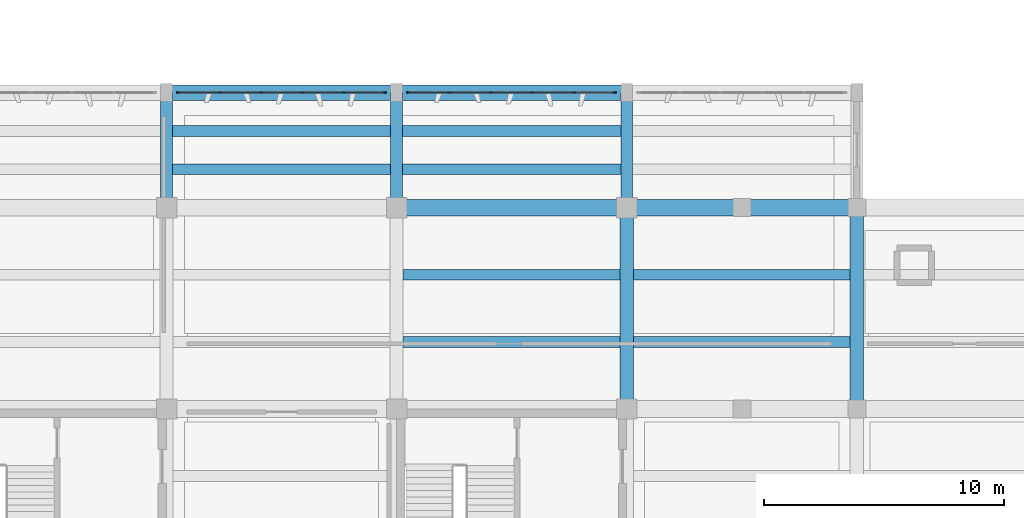
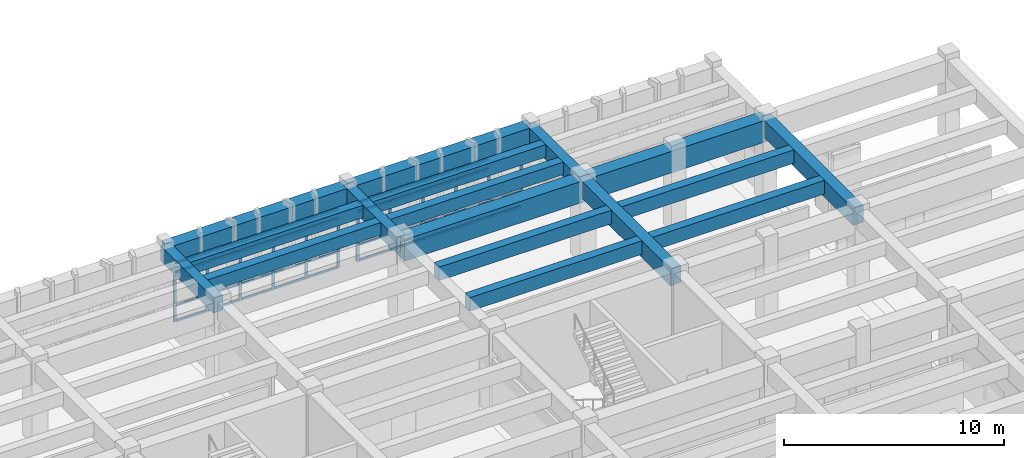
# One storey, part 16 of 86: 50 members, 17 beams, 2 elements without a shape of their own.
"""IFC4 building model written with IfcOpenShell, lengths in metres."""

from ifc_helpers import new_model, si_unit, direction, frame, origin, origin_2d, place, context, subcontext, project, spatial, rectangle, extrude, material, layer, layer_set, material_profile, profile_set, type_object, element, aggregate, save


model = new_model("IFC4")

# Units and contexts
model_context = context("Model", 3, precision=1e-05, world=origin(), true_north=direction((0.0, 1.0)))
body_context = subcontext(model_context, "Body", "Model", "MODEL_VIEW")
ifc_project = project(units=[si_unit("LENGTHUNIT", "METRE"), si_unit("AREAUNIT", "SQUARE_METRE"), si_unit("VOLUMEUNIT", "CUBIC_METRE"), si_unit("PLANEANGLEUNIT", "RADIAN"), si_unit("MASSUNIT", "GRAM", prefix="KILO")], contexts=[model_context])

# Site, building, storey
site_placement = place(None, origin())
site = spatial("IfcSite", under=ifc_project, at=site_placement, CompositionType="ELEMENT")
building_placement = place(site_placement, origin())
building = spatial("IfcBuilding", under=site, at=building_placement, Name="Kolvemor Railside Polytechnic", CompositionType="ELEMENT")
storey_placement = place(building_placement, frame((0.0, 0.0, 5.39990234375)))
storey = spatial("IfcBuildingStorey", under=building, at=storey_placement, Name="L01", CompositionType="ELEMENT", Elevation=5.39990234375)

# Beams
ifc_material_1 = material(Name="Concrete C40/50", Category="concrete")
ifc_material_profile_1 = material_profile(ifc_material_1, rectangle(XDim=0.550048828125, YDim=0.949951171875, at=origin_2d()), Name="RC550x950")
ifc_profile_set_1 = profile_set([ifc_material_profile_1], Name="Concrete C40/50")
beam_type_1 = type_object("IfcBeamType", Name="BM-RC-GIRD", PredefinedType="BEAM", material=ifc_profile_set_1)
for number, where, z_axis, x_axis, name in (
    (1, (115.199951171875, 30.0, 4.005126953125), (0.0, 1.0, 0.0), (-1.0, 0.0, 0.0), "Primary Girder L02-GY 0820"),
    (2, (124.800048828125, 30.0, 4.005126953125), (0.0, 1.0, 0.0), (-1.0, 0.0, 0.0), "Primary Girder L02-GY 0824"),
):
    element("IfcBeam", number, at=place(storey_placement, frame(where, z_axis=z_axis, x_axis=x_axis)), inside=storey, type_object=beam_type_1, Name=name, PredefinedType="BEAM", context=body_context, shape_type="SweptSolid", body=[
        extrude(rectangle(XDim=0.550048828125, YDim=0.949951171875, at=origin_2d()), origin(), (0.0, 0.0, 1.0), 8.39990234375),
    ])
ifc_material_2 = material(Name="Concrete C40/50", Category="concrete")
ifc_material_profile_2 = material_profile(ifc_material_2, rectangle(XDim=0.64990234375, YDim=1.050048828125, at=origin_2d()), Name="RC650x1050")
ifc_profile_set_2 = profile_set([ifc_material_profile_2], Name="Concrete C40/50")
beam_type_2 = type_object("IfcBeamType", Name="BM-RC-GIRD2", PredefinedType="BEAM", material=ifc_profile_set_2)
beam_1_placement = place(storey_placement, frame((96.0, 43.199951171875, 3.955078125), z_axis=(1.0, 0.0, 0.0), x_axis=(0.0, 1.0, 0.0)))
element("IfcBeam", 3, at=beam_1_placement, inside=storey, type_object=beam_type_2, Name="Primary Girder L02-GX 1885", PredefinedType="BEAM", context=body_context, shape_type="SweptSolid", body=[
    extrude(rectangle(XDim=0.64990234375, YDim=1.050048828125, at=origin_2d()), origin(), (0.0, 0.0, 1.0), 9.60009765625),
])
beam_2_placement = place(storey_placement, frame((105.60009765625, 43.199951171875, 3.955078125), z_axis=(1.0, 0.0, 0.0), x_axis=(0.0, 1.0, 0.0)))
element("IfcBeam", 4, at=beam_2_placement, inside=storey, type_object=beam_type_2, Name="Primary Girder L02-GX 1886", PredefinedType="BEAM", context=body_context, shape_type="SweptSolid", body=[
    extrude(rectangle(XDim=0.64990234375, YDim=1.050048828125, at=origin_2d()), origin(), (0.0, 0.0, 1.0), 9.599853515625),
])
ifc_material_3 = material(Name="Concrete C40/50", Category="concrete")
ifc_material_profile_3 = material_profile(ifc_material_3, rectangle(XDim=0.5, YDim=0.85009765625, at=origin_2d()), Name="RC500x850")
ifc_profile_set_3 = profile_set([ifc_material_profile_3], Name="Concrete C40/50")
beam_type_3 = type_object("IfcBeamType", Name="BM-RC-GIRD3", PredefinedType="BEAM", material=ifc_profile_set_3)
for number, where, z_axis, x_axis, name in (
    (5, (96.0, 38.39990234375, 4.05517578125), (0.0, 1.0, 0.0), (-1.0, 0.0, 0.0), "Primary Girder L02-GY 1892"),
    (6, (105.60009765625, 38.39990234375, 4.05517578125), (0.0, 1.0, 0.0), (-1.0, 0.0, 0.0), "Primary Girder L02-GY 1893"),
    (7, (115.199951171875, 38.39990234375, 4.05517578125), (0.0, 1.0, 0.0), (-1.0, 0.0, 0.0), "Primary Girder L02-GY 1894"),
):
    element("IfcBeam", number, at=place(storey_placement, frame(where, z_axis=z_axis, x_axis=x_axis)), inside=storey, type_object=beam_type_3, Name=name, PredefinedType="BEAM", context=body_context, shape_type="SweptSolid", body=[
        extrude(rectangle(XDim=0.5, YDim=0.85009765625, at=origin_2d()), origin(), (0.0, 0.0, 1.0), 4.800048828125),
    ])
ifc_material_4 = material(Name="Concrete C40/50", Category="concrete")
ifc_material_profile_4 = material_profile(ifc_material_4, rectangle(XDim=0.449951171875, YDim=0.75, at=origin_2d()), Name="RC450x750")
ifc_profile_set_4 = profile_set([ifc_material_profile_4], Name="Concrete C40/50")
beam_type_4 = type_object("IfcBeamType", Name="BM-RC-SEC", PredefinedType="JOIST", material=ifc_profile_set_4)
for number, where, z_axis, x_axis, name in (
    (8, (105.875, 32.800048828125, 4.10498046875), (1.0, 0.0, 0.0), (0.0, 1.0, 0.0), "Floor Joist L02-J0877"),
    (9, (105.875, 35.60009765625, 4.10498046875), (1.0, 0.0, 0.0), (0.0, 1.0, 0.0), "Floor Joist L02-J0878"),
):
    element("IfcBeam", number, at=place(storey_placement, frame(where, z_axis=z_axis, x_axis=x_axis)), inside=storey, type_object=beam_type_4, Name=name, PredefinedType="JOIST", context=body_context, shape_type="SweptSolid", body=[
        extrude(rectangle(XDim=0.449951171875, YDim=0.75, at=origin_2d()), origin(), (0.0, 0.0, 1.0), 9.050048828125),
    ])
for number, where, z_axis, x_axis, name in (
    (10, (115.47509765625, 32.800048828125, 4.10498046875), (1.0, 0.0, 0.0), (0.0, 1.0, 0.0), "Floor Joist L02-J0885"),
    (11, (115.47509765625, 35.60009765625, 4.10498046875), (1.0, 0.0, 0.0), (0.0, 1.0, 0.0), "Floor Joist L02-J0886"),
):
    element("IfcBeam", number, at=place(storey_placement, frame(where, z_axis=z_axis, x_axis=x_axis)), inside=storey, type_object=beam_type_4, Name=name, PredefinedType="JOIST", context=body_context, shape_type="SweptSolid", body=[
        extrude(rectangle(XDim=0.449951171875, YDim=0.75, at=origin_2d()), origin(), (0.0, 0.0, 1.0), 9.0498046875),
    ])
ifc_material_5 = material(Name="Concrete C40/50", Category="concrete")
ifc_material_profile_5 = material_profile(ifc_material_5, rectangle(XDim=0.449951171875, YDim=0.699951171875, at=origin_2d()), Name="RC450x700")
ifc_profile_set_5 = profile_set([ifc_material_profile_5], Name="Concrete C40/50")
beam_type_5 = type_object("IfcBeamType", Name="BM-RC-SEC2", PredefinedType="JOIST", material=ifc_profile_set_5)
for number, where, z_axis, x_axis, name in (
    (12, (96.25, 40.0, 4.130126953125), (1.0, 0.0, 0.0), (0.0, 1.0, 0.0), "Floor Joist L02-J1904"),
    (13, (96.25, 41.60009765625, 4.130126953125), (1.0, 0.0, 0.0), (0.0, 1.0, 0.0), "Floor Joist L02-J1905"),
):
    element("IfcBeam", number, at=place(storey_placement, frame(where, z_axis=z_axis, x_axis=x_axis)), inside=storey, type_object=beam_type_5, Name=name, PredefinedType="JOIST", context=body_context, shape_type="SweptSolid", body=[
        extrude(rectangle(XDim=0.449951171875, YDim=0.699951171875, at=origin_2d()), origin(), (0.0, 0.0, 1.0), 9.10009765625),
    ])
for number, where, z_axis, x_axis, name in (
    (14, (105.85009765625, 40.0, 4.130126953125), (1.0, 0.0, 0.0), (0.0, 1.0, 0.0), "Floor Joist L02-J1906"),
    (15, (105.85009765625, 41.60009765625, 4.130126953125), (1.0, 0.0, 0.0), (0.0, 1.0, 0.0), "Floor Joist L02-J1907"),
):
    element("IfcBeam", number, at=place(storey_placement, frame(where, z_axis=z_axis, x_axis=x_axis)), inside=storey, type_object=beam_type_5, Name=name, PredefinedType="JOIST", context=body_context, shape_type="SweptSolid", body=[
        extrude(rectangle(XDim=0.449951171875, YDim=0.699951171875, at=origin_2d()), origin(), (0.0, 0.0, 1.0), 9.099853515625),
    ])
ifc_material_6 = material(Name="Concrete C40/50", Category="concrete")
ifc_material_profile_6 = material_profile(ifc_material_6, rectangle(XDim=0.699951171875, YDim=1.199951171875, at=origin_2d()), Name="RC700x1200")
ifc_profile_set_6 = profile_set([ifc_material_profile_6], Name="Concrete C40/50")
beam_type_6 = type_object("IfcBeamType", Name="BM-RC-XFER", PredefinedType="BEAM", material=ifc_profile_set_6)
beam_3_placement = place(storey_placement, frame((105.60009765625, 38.39990234375, 3.880126953125), z_axis=(1.0, 0.0, 0.0), x_axis=(0.0, 1.0, 0.0)))
element("IfcBeam", 16, at=beam_3_placement, inside=storey, type_object=beam_type_6, Name="Primary Girder L02-GX 0790", PredefinedType="BEAM", context=body_context, shape_type="SweptSolid", body=[
    extrude(rectangle(XDim=0.699951171875, YDim=1.199951171875, at=origin_2d()), origin(), (0.0, 0.0, 1.0), 9.599853515625),
])
beam_4_placement = place(storey_placement, frame((115.199951171875, 38.39990234375, 3.880126953125), z_axis=(1.0, 0.0, 0.0), x_axis=(0.0, 1.0, 0.0)))
element("IfcBeam", 17, at=beam_4_placement, inside=storey, type_object=beam_type_6, Name="Primary Girder L02-GX 0791", PredefinedType="BEAM", context=body_context, shape_type="SweptSolid", body=[
    extrude(rectangle(XDim=0.699951171875, YDim=1.199951171875, at=origin_2d()), origin(), (0.0, 0.0, 1.0), 9.60009765625),
])

# Curtain wall, members
ifc_material_7 = material(Name="Anodised marine aluminium and laminated low-E glass", Category="aluminium")
ifc_layer = layer(ifc_material_7, 0.179931640625, Name="CW-UNIT-STD")
ifc_layer_set = layer_set([ifc_layer], Name="Anodised marine aluminium and laminated low-E glass")
curtain_wall_type = type_object("IfcCurtainWallType", Name="CW-UNIT-STD", PredefinedType="USERDEFINED", material=ifc_layer_set)
curtain_wall_1_placement = place(storey_placement, origin())
curtain_wall_1 = element("IfcCurtainWall", 18, at=curtain_wall_1_placement, inside=storey, type_object=curtain_wall_type, Name="Curtain Wall L01-117", ObjectType="UNITISED CURTAIN WALL", PredefinedType="USERDEFINED")
ifc_material_8 = material(Name="Anodised marine aluminium 6063-T6", Category="aluminium")
ifc_material_profile_7 = material_profile(ifc_material_8, rectangle(XDim=0.06494140625, YDim=0.14990234375, at=origin_2d()), Name="CW-MUL-65x150")
ifc_profile_set_7 = profile_set([ifc_material_profile_7], Name="Anodised marine aluminium 6063-T6")
member_type_1 = type_object("IfcMemberType", Name="CWM-65x150", PredefinedType="MULLION", material=ifc_profile_set_7)
member_1_placement = place(storey_placement, frame((105.097412109375, 43.199951171875, 0.0), z_axis=(0.0, 0.0, 1.0), x_axis=(0.0, -1.0, 0.0)))
member_1 = element("IfcMember", 19, at=member_1_placement, type_object=member_type_1, Name="CW-STD mullion 1", PredefinedType="MULLION", context=body_context, shape_type="SweptSolid", body=[
    extrude(rectangle(XDim=0.06494140625, YDim=0.14990234375, at=origin_2d()), origin(), (0.0, 0.0, 1.0), 3.280029296875),
])
member_2_placement = place(storey_placement, frame((103.39794921875, 43.199951171875, 0.0), z_axis=(0.0, 0.0, 1.0), x_axis=(0.0, -1.0, 0.0)))
member_2 = element("IfcMember", 20, at=member_2_placement, type_object=member_type_1, Name="CW-STD mullion 2", PredefinedType="MULLION", context=body_context, shape_type="SweptSolid", body=[
    extrude(rectangle(XDim=0.06494140625, YDim=0.14990234375, at=origin_2d()), origin(), (0.0, 0.0, 1.0), 3.280029296875),
])
member_3_placement = place(storey_placement, frame((101.666015625, 43.199951171875, 0.0), z_axis=(0.0, 0.0, 1.0), x_axis=(0.0, -1.0, 0.0)))
member_3 = element("IfcMember", 21, at=member_3_placement, type_object=member_type_1, Name="CW-STD mullion 3", PredefinedType="MULLION", context=body_context, shape_type="SweptSolid", body=[
    extrude(rectangle(XDim=0.06494140625, YDim=0.14990234375, at=origin_2d()), origin(), (0.0, 0.0, 1.0), 3.280029296875),
])
member_4_placement = place(storey_placement, frame((99.93408203125, 43.199951171875, 0.0), z_axis=(0.0, 0.0, 1.0), x_axis=(0.0, -1.0, 0.0)))
member_4 = element("IfcMember", 22, at=member_4_placement, type_object=member_type_1, Name="CW-STD mullion 4", PredefinedType="MULLION", context=body_context, shape_type="SweptSolid", body=[
    extrude(rectangle(XDim=0.06494140625, YDim=0.14990234375, at=origin_2d()), origin(), (0.0, 0.0, 1.0), 3.280029296875),
])
member_5_placement = place(storey_placement, frame((98.201904296875, 43.199951171875, 0.0), z_axis=(0.0, 0.0, 1.0), x_axis=(0.0, -1.0, 0.0)))
member_5 = element("IfcMember", 23, at=member_5_placement, type_object=member_type_1, Name="CW-STD mullion 5", PredefinedType="MULLION", context=body_context, shape_type="SweptSolid", body=[
    extrude(rectangle(XDim=0.06494140625, YDim=0.14990234375, at=origin_2d()), origin(), (0.0, 0.0, 1.0), 3.280029296875),
])
member_6_placement = place(storey_placement, frame((96.50244140625, 43.199951171875, 0.0), z_axis=(0.0, 0.0, 1.0), x_axis=(0.0, -1.0, 0.0)))
member_6 = element("IfcMember", 24, at=member_6_placement, type_object=member_type_1, Name="CW-STD mullion 6", PredefinedType="MULLION", context=body_context, shape_type="SweptSolid", body=[
    extrude(rectangle(XDim=0.06494140625, YDim=0.14990234375, at=origin_2d()), origin(), (0.0, 0.0, 1.0), 3.280029296875),
])

curtain_wall_2_placement = place(storey_placement, origin())
curtain_wall_2 = element("IfcCurtainWall", 25, at=curtain_wall_2_placement, inside=storey, type_object=curtain_wall_type, Name="Curtain Wall L01-118", ObjectType="UNITISED CURTAIN WALL", PredefinedType="USERDEFINED")
member_7_placement = place(storey_placement, frame((114.697509765625, 43.199951171875, 0.0), z_axis=(0.0, 0.0, 1.0), x_axis=(0.0, -1.0, 0.0)))
member_7 = element("IfcMember", 26, at=member_7_placement, type_object=member_type_1, Name="CW-STD mullion 1", PredefinedType="MULLION", context=body_context, shape_type="SweptSolid", body=[
    extrude(rectangle(XDim=0.06494140625, YDim=0.14990234375, at=origin_2d()), origin(), (0.0, 0.0, 1.0), 3.280029296875),
])
member_8_placement = place(storey_placement, frame((112.998046875, 43.199951171875, 0.0), z_axis=(0.0, 0.0, 1.0), x_axis=(0.0, -1.0, 0.0)))
member_8 = element("IfcMember", 27, at=member_8_placement, type_object=member_type_1, Name="CW-STD mullion 2", PredefinedType="MULLION", context=body_context, shape_type="SweptSolid", body=[
    extrude(rectangle(XDim=0.06494140625, YDim=0.14990234375, at=origin_2d()), origin(), (0.0, 0.0, 1.0), 3.280029296875),
])
member_9_placement = place(storey_placement, frame((111.26611328125, 43.199951171875, 0.0), z_axis=(0.0, 0.0, 1.0), x_axis=(0.0, -1.0, 0.0)))
member_9 = element("IfcMember", 28, at=member_9_placement, type_object=member_type_1, Name="CW-STD mullion 3", PredefinedType="MULLION", context=body_context, shape_type="SweptSolid", body=[
    extrude(rectangle(XDim=0.06494140625, YDim=0.14990234375, at=origin_2d()), origin(), (0.0, 0.0, 1.0), 3.280029296875),
])
member_10_placement = place(storey_placement, frame((109.533935546875, 43.199951171875, 0.0), z_axis=(0.0, 0.0, 1.0), x_axis=(0.0, -1.0, 0.0)))
member_10 = element("IfcMember", 29, at=member_10_placement, type_object=member_type_1, Name="CW-STD mullion 4", PredefinedType="MULLION", context=body_context, shape_type="SweptSolid", body=[
    extrude(rectangle(XDim=0.06494140625, YDim=0.14990234375, at=origin_2d()), origin(), (0.0, 0.0, 1.0), 3.280029296875),
])
member_11_placement = place(storey_placement, frame((107.802001953125, 43.199951171875, 0.0), z_axis=(0.0, 0.0, 1.0), x_axis=(0.0, -1.0, 0.0)))
member_11 = element("IfcMember", 30, at=member_11_placement, type_object=member_type_1, Name="CW-STD mullion 5", PredefinedType="MULLION", context=body_context, shape_type="SweptSolid", body=[
    extrude(rectangle(XDim=0.06494140625, YDim=0.14990234375, at=origin_2d()), origin(), (0.0, 0.0, 1.0), 3.280029296875),
])
member_12_placement = place(storey_placement, frame((106.1025390625, 43.199951171875, 0.0), z_axis=(0.0, 0.0, 1.0), x_axis=(0.0, -1.0, 0.0)))
member_12 = element("IfcMember", 31, at=member_12_placement, type_object=member_type_1, Name="CW-STD mullion 6", PredefinedType="MULLION", context=body_context, shape_type="SweptSolid", body=[
    extrude(rectangle(XDim=0.06494140625, YDim=0.14990234375, at=origin_2d()), origin(), (0.0, 0.0, 1.0), 3.280029296875),
])

# Member
ifc_material_9 = material(Name="Anodised marine aluminium 6063-T6", Category="aluminium")
ifc_material_profile_8 = material_profile(ifc_material_9, rectangle(XDim=0.06494140625, YDim=0.1201171875, at=origin_2d()), Name="CW-TRN-65x120")
ifc_profile_set_8 = profile_set([ifc_material_profile_8], Name="Anodised marine aluminium 6063-T6")
member_type_2 = type_object("IfcMemberType", Name="CWT-65x120", PredefinedType="USERDEFINED", material=ifc_profile_set_8)
member_13_placement = place(storey_placement, frame((105.06494140625, 43.199951171875, 0.03271484375), z_axis=(-1.0, 0.0, 0.0), x_axis=(0.0, -1.0, 0.0)))
member_13 = element("IfcMember", 32, at=member_13_placement, type_object=member_type_2, Name="CW-STD transom 1.1", ObjectType="TRANSOM", PredefinedType="USERDEFINED", context=body_context, shape_type="SweptSolid", body=[
    extrude(rectangle(XDim=0.06494140625, YDim=0.1201171875, at=origin_2d()), origin(), (0.0, 0.0, 1.0), 1.634521484375),
])

member_14_placement = place(storey_placement, frame((105.06494140625, 43.199951171875, 0.900146484375), z_axis=(-1.0, 0.0, 0.0), x_axis=(0.0, -1.0, 0.0)))
member_14 = element("IfcMember", 33, at=member_14_placement, type_object=member_type_2, Name="CW-STD transom 1.2", ObjectType="TRANSOM", PredefinedType="USERDEFINED", context=body_context, shape_type="SweptSolid", body=[
    extrude(rectangle(XDim=0.06494140625, YDim=0.1201171875, at=origin_2d()), origin(), (0.0, 0.0, 1.0), 1.634521484375),
])

member_15_placement = place(storey_placement, frame((105.06494140625, 43.199951171875, 2.72998046875), z_axis=(-1.0, 0.0, 0.0), x_axis=(0.0, -1.0, 0.0)))
member_15 = element("IfcMember", 34, at=member_15_placement, type_object=member_type_2, Name="CW-STD transom 1.3", ObjectType="TRANSOM", PredefinedType="USERDEFINED", context=body_context, shape_type="SweptSolid", body=[
    extrude(rectangle(XDim=0.06494140625, YDim=0.1201171875, at=origin_2d()), origin(), (0.0, 0.0, 1.0), 1.634521484375),
])

member_16_placement = place(storey_placement, frame((105.06494140625, 43.199951171875, 3.24755859375), z_axis=(-1.0, 0.0, 0.0), x_axis=(0.0, -1.0, 0.0)))
member_16 = element("IfcMember", 35, at=member_16_placement, type_object=member_type_2, Name="CW-STD transom 1.4", ObjectType="TRANSOM", PredefinedType="USERDEFINED", context=body_context, shape_type="SweptSolid", body=[
    extrude(rectangle(XDim=0.06494140625, YDim=0.1201171875, at=origin_2d()), origin(), (0.0, 0.0, 1.0), 1.634521484375),
])

member_17_placement = place(storey_placement, frame((103.365478515625, 43.199951171875, 0.03271484375), z_axis=(-1.0, 0.0, 0.0), x_axis=(0.0, -1.0, 0.0)))
member_17 = element("IfcMember", 36, at=member_17_placement, type_object=member_type_2, Name="CW-STD transom 2.1", ObjectType="TRANSOM", PredefinedType="USERDEFINED", context=body_context, shape_type="SweptSolid", body=[
    extrude(rectangle(XDim=0.06494140625, YDim=0.1201171875, at=origin_2d()), origin(), (0.0, 0.0, 1.0), 1.6669921875),
])

member_18_placement = place(storey_placement, frame((103.365478515625, 43.199951171875, 0.900146484375), z_axis=(-1.0, 0.0, 0.0), x_axis=(0.0, -1.0, 0.0)))
member_18 = element("IfcMember", 37, at=member_18_placement, type_object=member_type_2, Name="CW-STD transom 2.2", ObjectType="TRANSOM", PredefinedType="USERDEFINED", context=body_context, shape_type="SweptSolid", body=[
    extrude(rectangle(XDim=0.06494140625, YDim=0.1201171875, at=origin_2d()), origin(), (0.0, 0.0, 1.0), 1.6669921875),
])

member_19_placement = place(storey_placement, frame((103.365478515625, 43.199951171875, 2.72998046875), z_axis=(-1.0, 0.0, 0.0), x_axis=(0.0, -1.0, 0.0)))
member_19 = element("IfcMember", 38, at=member_19_placement, type_object=member_type_2, Name="CW-STD transom 2.3", ObjectType="TRANSOM", PredefinedType="USERDEFINED", context=body_context, shape_type="SweptSolid", body=[
    extrude(rectangle(XDim=0.06494140625, YDim=0.1201171875, at=origin_2d()), origin(), (0.0, 0.0, 1.0), 1.6669921875),
])

member_20_placement = place(storey_placement, frame((103.365478515625, 43.199951171875, 3.24755859375), z_axis=(-1.0, 0.0, 0.0), x_axis=(0.0, -1.0, 0.0)))
member_20 = element("IfcMember", 39, at=member_20_placement, type_object=member_type_2, Name="CW-STD transom 2.4", ObjectType="TRANSOM", PredefinedType="USERDEFINED", context=body_context, shape_type="SweptSolid", body=[
    extrude(rectangle(XDim=0.06494140625, YDim=0.1201171875, at=origin_2d()), origin(), (0.0, 0.0, 1.0), 1.6669921875),
])

member_21_placement = place(storey_placement, frame((101.633544921875, 43.199951171875, 0.03271484375), z_axis=(-1.0, 0.0, 0.0), x_axis=(0.0, -1.0, 0.0)))
member_21 = element("IfcMember", 40, at=member_21_placement, type_object=member_type_2, Name="CW-STD transom 3.1", ObjectType="TRANSOM", PredefinedType="USERDEFINED", context=body_context, shape_type="SweptSolid", body=[
    extrude(rectangle(XDim=0.06494140625, YDim=0.1201171875, at=origin_2d()), origin(), (0.0, 0.0, 1.0), 1.6669921875),
])

member_22_placement = place(storey_placement, frame((101.633544921875, 43.199951171875, 0.900146484375), z_axis=(-1.0, 0.0, 0.0), x_axis=(0.0, -1.0, 0.0)))
member_22 = element("IfcMember", 41, at=member_22_placement, type_object=member_type_2, Name="CW-STD transom 3.2", ObjectType="TRANSOM", PredefinedType="USERDEFINED", context=body_context, shape_type="SweptSolid", body=[
    extrude(rectangle(XDim=0.06494140625, YDim=0.1201171875, at=origin_2d()), origin(), (0.0, 0.0, 1.0), 1.6669921875),
])

member_23_placement = place(storey_placement, frame((101.633544921875, 43.199951171875, 2.72998046875), z_axis=(-1.0, 0.0, 0.0), x_axis=(0.0, -1.0, 0.0)))
member_23 = element("IfcMember", 42, at=member_23_placement, type_object=member_type_2, Name="CW-STD transom 3.3", ObjectType="TRANSOM", PredefinedType="USERDEFINED", context=body_context, shape_type="SweptSolid", body=[
    extrude(rectangle(XDim=0.06494140625, YDim=0.1201171875, at=origin_2d()), origin(), (0.0, 0.0, 1.0), 1.6669921875),
])

member_24_placement = place(storey_placement, frame((101.633544921875, 43.199951171875, 3.24755859375), z_axis=(-1.0, 0.0, 0.0), x_axis=(0.0, -1.0, 0.0)))
member_24 = element("IfcMember", 43, at=member_24_placement, type_object=member_type_2, Name="CW-STD transom 3.4", ObjectType="TRANSOM", PredefinedType="USERDEFINED", context=body_context, shape_type="SweptSolid", body=[
    extrude(rectangle(XDim=0.06494140625, YDim=0.1201171875, at=origin_2d()), origin(), (0.0, 0.0, 1.0), 1.6669921875),
])

member_25_placement = place(storey_placement, frame((99.901611328125, 43.199951171875, 0.03271484375), z_axis=(-1.0, 0.0, 0.0), x_axis=(0.0, -1.0, 0.0)))
member_25 = element("IfcMember", 44, at=member_25_placement, type_object=member_type_2, Name="CW-STD transom 4.1", ObjectType="TRANSOM", PredefinedType="USERDEFINED", context=body_context, shape_type="SweptSolid", body=[
    extrude(rectangle(XDim=0.06494140625, YDim=0.1201171875, at=origin_2d()), origin(), (0.0, 0.0, 1.0), 1.6669921875),
])

member_26_placement = place(storey_placement, frame((99.901611328125, 43.199951171875, 0.900146484375), z_axis=(-1.0, 0.0, 0.0), x_axis=(0.0, -1.0, 0.0)))
member_26 = element("IfcMember", 45, at=member_26_placement, type_object=member_type_2, Name="CW-STD transom 4.2", ObjectType="TRANSOM", PredefinedType="USERDEFINED", context=body_context, shape_type="SweptSolid", body=[
    extrude(rectangle(XDim=0.06494140625, YDim=0.1201171875, at=origin_2d()), origin(), (0.0, 0.0, 1.0), 1.6669921875),
])

member_27_placement = place(storey_placement, frame((99.901611328125, 43.199951171875, 2.72998046875), z_axis=(-1.0, 0.0, 0.0), x_axis=(0.0, -1.0, 0.0)))
member_27 = element("IfcMember", 46, at=member_27_placement, type_object=member_type_2, Name="CW-STD transom 4.3", ObjectType="TRANSOM", PredefinedType="USERDEFINED", context=body_context, shape_type="SweptSolid", body=[
    extrude(rectangle(XDim=0.06494140625, YDim=0.1201171875, at=origin_2d()), origin(), (0.0, 0.0, 1.0), 1.6669921875),
])

member_28_placement = place(storey_placement, frame((99.901611328125, 43.199951171875, 3.24755859375), z_axis=(-1.0, 0.0, 0.0), x_axis=(0.0, -1.0, 0.0)))
member_28 = element("IfcMember", 47, at=member_28_placement, type_object=member_type_2, Name="CW-STD transom 4.4", ObjectType="TRANSOM", PredefinedType="USERDEFINED", context=body_context, shape_type="SweptSolid", body=[
    extrude(rectangle(XDim=0.06494140625, YDim=0.1201171875, at=origin_2d()), origin(), (0.0, 0.0, 1.0), 1.6669921875),
])

member_29_placement = place(storey_placement, frame((98.16943359375, 43.199951171875, 0.03271484375), z_axis=(-1.0, 0.0, 0.0), x_axis=(0.0, -1.0, 0.0)))
member_29 = element("IfcMember", 48, at=member_29_placement, type_object=member_type_2, Name="CW-STD transom 5.1", ObjectType="TRANSOM", PredefinedType="USERDEFINED", context=body_context, shape_type="SweptSolid", body=[
    extrude(rectangle(XDim=0.06494140625, YDim=0.1201171875, at=origin_2d()), origin(), (0.0, 0.0, 1.0), 1.634521484375),
])

member_30_placement = place(storey_placement, frame((98.16943359375, 43.199951171875, 0.900146484375), z_axis=(-1.0, 0.0, 0.0), x_axis=(0.0, -1.0, 0.0)))
member_30 = element("IfcMember", 49, at=member_30_placement, type_object=member_type_2, Name="CW-STD transom 5.2", ObjectType="TRANSOM", PredefinedType="USERDEFINED", context=body_context, shape_type="SweptSolid", body=[
    extrude(rectangle(XDim=0.06494140625, YDim=0.1201171875, at=origin_2d()), origin(), (0.0, 0.0, 1.0), 1.634521484375),
])

member_31_placement = place(storey_placement, frame((98.16943359375, 43.199951171875, 2.72998046875), z_axis=(-1.0, 0.0, 0.0), x_axis=(0.0, -1.0, 0.0)))
member_31 = element("IfcMember", 50, at=member_31_placement, type_object=member_type_2, Name="CW-STD transom 5.3", ObjectType="TRANSOM", PredefinedType="USERDEFINED", context=body_context, shape_type="SweptSolid", body=[
    extrude(rectangle(XDim=0.06494140625, YDim=0.1201171875, at=origin_2d()), origin(), (0.0, 0.0, 1.0), 1.634521484375),
])

member_32_placement = place(storey_placement, frame((98.16943359375, 43.199951171875, 3.24755859375), z_axis=(-1.0, 0.0, 0.0), x_axis=(0.0, -1.0, 0.0)))
member_32 = element("IfcMember", 51, at=member_32_placement, type_object=member_type_2, Name="CW-STD transom 5.4", ObjectType="TRANSOM", PredefinedType="USERDEFINED", context=body_context, shape_type="SweptSolid", body=[
    extrude(rectangle(XDim=0.06494140625, YDim=0.1201171875, at=origin_2d()), origin(), (0.0, 0.0, 1.0), 1.634521484375),
])

aggregate(curtain_wall_1, [member_1, member_2, member_3, member_4, member_5, member_6, member_13, member_14, member_15, member_16, member_17, member_18, member_19, member_20, member_21, member_22, member_23, member_24, member_25, member_26, member_27, member_28, member_29, member_30, member_31, member_32])

member_33_placement = place(storey_placement, frame((114.6650390625, 43.199951171875, 0.03271484375), z_axis=(-1.0, 0.0, 0.0), x_axis=(0.0, -1.0, 0.0)))
member_33 = element("IfcMember", 52, at=member_33_placement, type_object=member_type_2, Name="CW-STD transom 1.1", ObjectType="TRANSOM", PredefinedType="USERDEFINED", context=body_context, shape_type="SweptSolid", body=[
    extrude(rectangle(XDim=0.06494140625, YDim=0.1201171875, at=origin_2d()), origin(), (0.0, 0.0, 1.0), 1.634521484375),
])

member_34_placement = place(storey_placement, frame((114.6650390625, 43.199951171875, 0.900146484375), z_axis=(-1.0, 0.0, 0.0), x_axis=(0.0, -1.0, 0.0)))
member_34 = element("IfcMember", 53, at=member_34_placement, type_object=member_type_2, Name="CW-STD transom 1.2", ObjectType="TRANSOM", PredefinedType="USERDEFINED", context=body_context, shape_type="SweptSolid", body=[
    extrude(rectangle(XDim=0.06494140625, YDim=0.1201171875, at=origin_2d()), origin(), (0.0, 0.0, 1.0), 1.634521484375),
])

member_35_placement = place(storey_placement, frame((112.965576171875, 43.199951171875, 0.03271484375), z_axis=(-1.0, 0.0, 0.0), x_axis=(0.0, -1.0, 0.0)))
member_35 = element("IfcMember", 54, at=member_35_placement, type_object=member_type_2, Name="CW-STD transom 2.1", ObjectType="TRANSOM", PredefinedType="USERDEFINED", context=body_context, shape_type="SweptSolid", body=[
    extrude(rectangle(XDim=0.06494140625, YDim=0.1201171875, at=origin_2d()), origin(), (0.0, 0.0, 1.0), 1.6669921875),
])

member_36_placement = place(storey_placement, frame((112.965576171875, 43.199951171875, 0.900146484375), z_axis=(-1.0, 0.0, 0.0), x_axis=(0.0, -1.0, 0.0)))
member_36 = element("IfcMember", 55, at=member_36_placement, type_object=member_type_2, Name="CW-STD transom 2.2", ObjectType="TRANSOM", PredefinedType="USERDEFINED", context=body_context, shape_type="SweptSolid", body=[
    extrude(rectangle(XDim=0.06494140625, YDim=0.1201171875, at=origin_2d()), origin(), (0.0, 0.0, 1.0), 1.6669921875),
])

member_37_placement = place(storey_placement, frame((112.965576171875, 43.199951171875, 2.72998046875), z_axis=(-1.0, 0.0, 0.0), x_axis=(0.0, -1.0, 0.0)))
member_37 = element("IfcMember", 56, at=member_37_placement, type_object=member_type_2, Name="CW-STD transom 2.3", ObjectType="TRANSOM", PredefinedType="USERDEFINED", context=body_context, shape_type="SweptSolid", body=[
    extrude(rectangle(XDim=0.06494140625, YDim=0.1201171875, at=origin_2d()), origin(), (0.0, 0.0, 1.0), 1.6669921875),
])

member_38_placement = place(storey_placement, frame((112.965576171875, 43.199951171875, 3.24755859375), z_axis=(-1.0, 0.0, 0.0), x_axis=(0.0, -1.0, 0.0)))
member_38 = element("IfcMember", 57, at=member_38_placement, type_object=member_type_2, Name="CW-STD transom 2.4", ObjectType="TRANSOM", PredefinedType="USERDEFINED", context=body_context, shape_type="SweptSolid", body=[
    extrude(rectangle(XDim=0.06494140625, YDim=0.1201171875, at=origin_2d()), origin(), (0.0, 0.0, 1.0), 1.6669921875),
])

member_39_placement = place(storey_placement, frame((111.2333984375, 43.199951171875, 0.03271484375), z_axis=(-1.0, 0.0, 0.0), x_axis=(0.0, -1.0, 0.0)))
member_39 = element("IfcMember", 58, at=member_39_placement, type_object=member_type_2, Name="CW-STD transom 3.1", ObjectType="TRANSOM", PredefinedType="USERDEFINED", context=body_context, shape_type="SweptSolid", body=[
    extrude(rectangle(XDim=0.06494140625, YDim=0.1201171875, at=origin_2d()), origin(), (0.0, 0.0, 1.0), 1.6669921875),
])

member_40_placement = place(storey_placement, frame((111.2333984375, 43.199951171875, 0.900146484375), z_axis=(-1.0, 0.0, 0.0), x_axis=(0.0, -1.0, 0.0)))
member_40 = element("IfcMember", 59, at=member_40_placement, type_object=member_type_2, Name="CW-STD transom 3.2", ObjectType="TRANSOM", PredefinedType="USERDEFINED", context=body_context, shape_type="SweptSolid", body=[
    extrude(rectangle(XDim=0.06494140625, YDim=0.1201171875, at=origin_2d()), origin(), (0.0, 0.0, 1.0), 1.6669921875),
])

member_41_placement = place(storey_placement, frame((111.2333984375, 43.199951171875, 2.72998046875), z_axis=(-1.0, 0.0, 0.0), x_axis=(0.0, -1.0, 0.0)))
member_41 = element("IfcMember", 60, at=member_41_placement, type_object=member_type_2, Name="CW-STD transom 3.3", ObjectType="TRANSOM", PredefinedType="USERDEFINED", context=body_context, shape_type="SweptSolid", body=[
    extrude(rectangle(XDim=0.06494140625, YDim=0.1201171875, at=origin_2d()), origin(), (0.0, 0.0, 1.0), 1.6669921875),
])

member_42_placement = place(storey_placement, frame((111.2333984375, 43.199951171875, 3.24755859375), z_axis=(-1.0, 0.0, 0.0), x_axis=(0.0, -1.0, 0.0)))
member_42 = element("IfcMember", 61, at=member_42_placement, type_object=member_type_2, Name="CW-STD transom 3.4", ObjectType="TRANSOM", PredefinedType="USERDEFINED", context=body_context, shape_type="SweptSolid", body=[
    extrude(rectangle(XDim=0.06494140625, YDim=0.1201171875, at=origin_2d()), origin(), (0.0, 0.0, 1.0), 1.6669921875),
])

member_43_placement = place(storey_placement, frame((109.50146484375, 43.199951171875, 0.03271484375), z_axis=(-1.0, 0.0, 0.0), x_axis=(0.0, -1.0, 0.0)))
member_43 = element("IfcMember", 62, at=member_43_placement, type_object=member_type_2, Name="CW-STD transom 4.1", ObjectType="TRANSOM", PredefinedType="USERDEFINED", context=body_context, shape_type="SweptSolid", body=[
    extrude(rectangle(XDim=0.06494140625, YDim=0.1201171875, at=origin_2d()), origin(), (0.0, 0.0, 1.0), 1.6669921875),
])

member_44_placement = place(storey_placement, frame((109.50146484375, 43.199951171875, 0.900146484375), z_axis=(-1.0, 0.0, 0.0), x_axis=(0.0, -1.0, 0.0)))
member_44 = element("IfcMember", 63, at=member_44_placement, type_object=member_type_2, Name="CW-STD transom 4.2", ObjectType="TRANSOM", PredefinedType="USERDEFINED", context=body_context, shape_type="SweptSolid", body=[
    extrude(rectangle(XDim=0.06494140625, YDim=0.1201171875, at=origin_2d()), origin(), (0.0, 0.0, 1.0), 1.6669921875),
])

member_45_placement = place(storey_placement, frame((109.50146484375, 43.199951171875, 2.72998046875), z_axis=(-1.0, 0.0, 0.0), x_axis=(0.0, -1.0, 0.0)))
member_45 = element("IfcMember", 64, at=member_45_placement, type_object=member_type_2, Name="CW-STD transom 4.3", ObjectType="TRANSOM", PredefinedType="USERDEFINED", context=body_context, shape_type="SweptSolid", body=[
    extrude(rectangle(XDim=0.06494140625, YDim=0.1201171875, at=origin_2d()), origin(), (0.0, 0.0, 1.0), 1.6669921875),
])

member_46_placement = place(storey_placement, frame((109.50146484375, 43.199951171875, 3.24755859375), z_axis=(-1.0, 0.0, 0.0), x_axis=(0.0, -1.0, 0.0)))
member_46 = element("IfcMember", 65, at=member_46_placement, type_object=member_type_2, Name="CW-STD transom 4.4", ObjectType="TRANSOM", PredefinedType="USERDEFINED", context=body_context, shape_type="SweptSolid", body=[
    extrude(rectangle(XDim=0.06494140625, YDim=0.1201171875, at=origin_2d()), origin(), (0.0, 0.0, 1.0), 1.6669921875),
])

member_47_placement = place(storey_placement, frame((107.76953125, 43.199951171875, 0.03271484375), z_axis=(-1.0, 0.0, 0.0), x_axis=(0.0, -1.0, 0.0)))
member_47 = element("IfcMember", 66, at=member_47_placement, type_object=member_type_2, Name="CW-STD transom 5.1", ObjectType="TRANSOM", PredefinedType="USERDEFINED", context=body_context, shape_type="SweptSolid", body=[
    extrude(rectangle(XDim=0.06494140625, YDim=0.1201171875, at=origin_2d()), origin(), (0.0, 0.0, 1.0), 1.634521484375),
])

member_48_placement = place(storey_placement, frame((107.76953125, 43.199951171875, 0.900146484375), z_axis=(-1.0, 0.0, 0.0), x_axis=(0.0, -1.0, 0.0)))
member_48 = element("IfcMember", 67, at=member_48_placement, type_object=member_type_2, Name="CW-STD transom 5.2", ObjectType="TRANSOM", PredefinedType="USERDEFINED", context=body_context, shape_type="SweptSolid", body=[
    extrude(rectangle(XDim=0.06494140625, YDim=0.1201171875, at=origin_2d()), origin(), (0.0, 0.0, 1.0), 1.634521484375),
])

member_49_placement = place(storey_placement, frame((107.76953125, 43.199951171875, 2.72998046875), z_axis=(-1.0, 0.0, 0.0), x_axis=(0.0, -1.0, 0.0)))
member_49 = element("IfcMember", 68, at=member_49_placement, type_object=member_type_2, Name="CW-STD transom 5.3", ObjectType="TRANSOM", PredefinedType="USERDEFINED", context=body_context, shape_type="SweptSolid", body=[
    extrude(rectangle(XDim=0.06494140625, YDim=0.1201171875, at=origin_2d()), origin(), (0.0, 0.0, 1.0), 1.634521484375),
])

member_50_placement = place(storey_placement, frame((107.76953125, 43.199951171875, 3.24755859375), z_axis=(-1.0, 0.0, 0.0), x_axis=(0.0, -1.0, 0.0)))
member_50 = element("IfcMember", 69, at=member_50_placement, type_object=member_type_2, Name="CW-STD transom 5.4", ObjectType="TRANSOM", PredefinedType="USERDEFINED", context=body_context, shape_type="SweptSolid", body=[
    extrude(rectangle(XDim=0.06494140625, YDim=0.1201171875, at=origin_2d()), origin(), (0.0, 0.0, 1.0), 1.634521484375),
])

aggregate(curtain_wall_2, [member_7, member_8, member_9, member_10, member_11, member_12, member_33, member_34, member_35, member_36, member_37, member_38, member_39, member_40, member_41, member_42, member_43, member_44, member_45, member_46, member_47, member_48, member_49, member_50])

save(model, "model.ifc")
